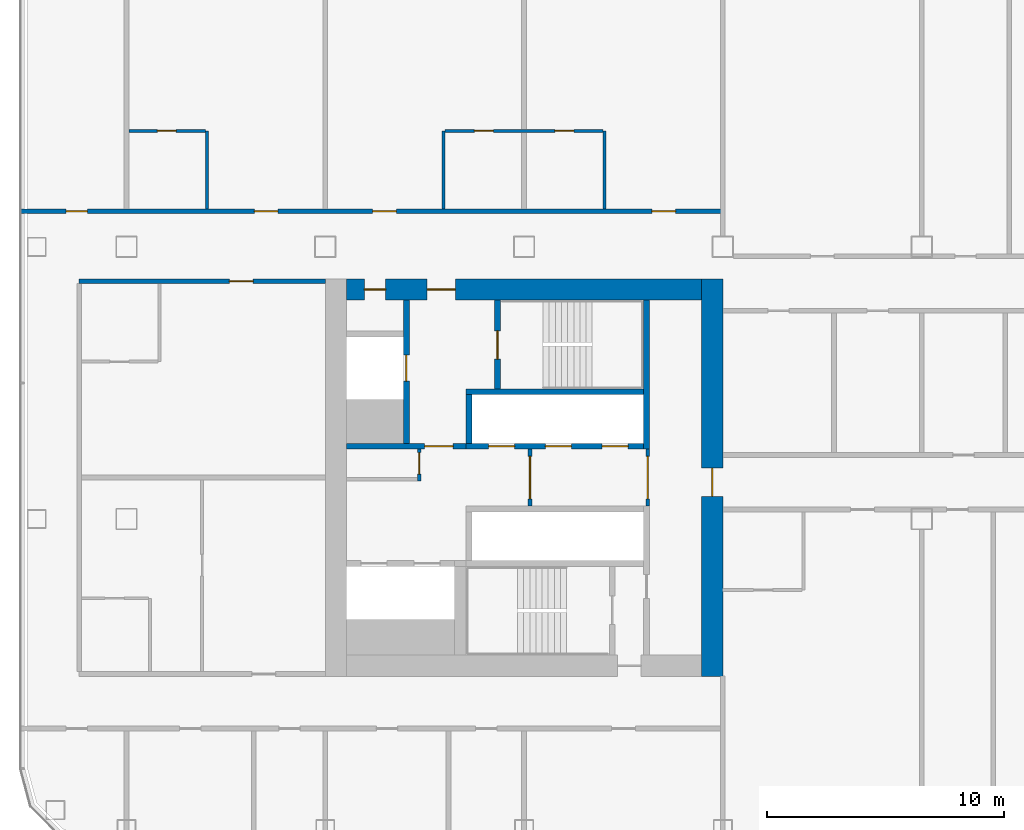
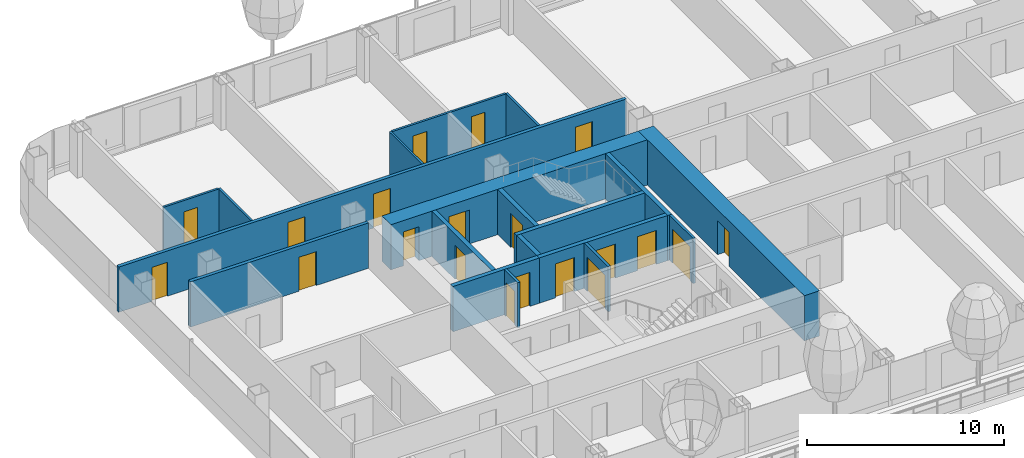
# One storey, part 14 of 34: 20 doors, 19 walls, 20 openings.
"""IFC4 building model written with IfcOpenShell, lengths in metres."""

from ifc_helpers import new_model, si_unit, direction, frame, frame_2d, origin, place, context, subcontext, project, spatial, rectangle, extrude, material, layer, layer_set, type_object, element, fill, save


model = new_model("IFC4")

# Units and contexts
model_context = context("Model", 3, precision=1e-05, world=origin(), true_north=direction((0.0, 1.0)))
body_context = subcontext(model_context, "Body", "Model", "MODEL_VIEW")
ifc_project = project(units=[si_unit("LENGTHUNIT", "METRE"), si_unit("AREAUNIT", "SQUARE_METRE"), si_unit("VOLUMEUNIT", "CUBIC_METRE"), si_unit("PLANEANGLEUNIT", "RADIAN"), si_unit("MASSUNIT", "GRAM", prefix="KILO")], contexts=[model_context])

# Site, building, storey
site_placement = place(None, origin())
site = spatial("IfcSite", under=ifc_project, at=site_placement, CompositionType="ELEMENT")
building_placement = place(site_placement, origin())
building = spatial("IfcBuilding", under=site, at=building_placement, Name="Hakoniwa Tower and Hamabe Station Hall", CompositionType="ELEMENT")
storey_placement = place(building_placement, frame((0.0, 0.0, 107.39990234375)))
storey = spatial("IfcBuildingStorey", under=building, at=storey_placement, Name="L30", CompositionType="ELEMENT", Elevation=107.39990234375)

# Wall, opening, door
ifc_material_1 = material(Name="Gypsum board partition", Category="gypsum")
ifc_layer_1 = layer(ifc_material_1, 0.125)
ifc_layer_set_1 = layer_set([ifc_layer_1], Name="Bathroom Partition 125")
wall_type_1 = type_object("IfcWallType", Name="Bathroom Partition 125", PredefinedType="PARTITIONING", material=ifc_layer_set_1)
wall_1_placement = place(storey_placement, frame((-41.89990234375, 14.64990234375, 0.0), z_axis=(0.0, 0.0, 1.0), x_axis=(1.0, 0.0, 0.0)))
wall_1 = element("IfcWall", 1, at=wall_1_placement, inside=storey, type_object=wall_type_1, Name="GW-L30-021", PredefinedType="PARTITIONING", context=body_context, shape_type="SweptSolid", body=[
    extrude(rectangle(XDim=3.2373046875, YDim=0.125, at=frame_2d((1.61865234375, 0.0))), origin(), (0.0, 0.0, 1.0), 2.800048828125),
])
opening_1_placement = place(wall_1_placement, frame((1.199951171875, 0.0, 0.0)))
opening_1 = element("IfcOpeningElement", 2, at=opening_1_placement, cuts=wall_1, Name="Opening GD-G2A2-52", PredefinedType="OPENING", context=body_context, shape_type="SweptSolid", body=[
    extrude(rectangle(XDim=0.800048828125, YDim=2.10009765625, at=frame_2d((0.39990234375, 1.050048828125))), frame((0.0, 0.072509765625, 0.0), z_axis=(0.0, -1.0, 0.0), x_axis=(1.0, 0.0, 0.0)), (0.0, 0.0, 1.0), 0.14501953125),
])
ifc_material_2 = material(Name="Timber door leaf", Category="wood")
door_type_1 = type_object("IfcDoorType", Name="Bathroom Door 800", OperationType="SINGLE_SWING_LEFT", PredefinedType="DOOR", material=ifc_material_2)
door_1_placement = place(opening_1_placement, origin())
door_1 = element("IfcDoor", 3, at=door_1_placement, inside=storey, type_object=door_type_1, Name="Door GD-G2A2-52", OperationType="SINGLE_SWING_LEFT", OverallHeight=2.10009765625, OverallWidth=0.800048828125, PredefinedType="DOOR", context=body_context, shape_type="SweptSolid", body=[
    extrude(rectangle(XDim=0.800048828125, YDim=2.10009765625, at=frame_2d((0.39990234375, 1.050048828125))), frame((0.0, 0.02490234375, 0.0), z_axis=(0.0, -1.0, 0.0), x_axis=(1.0, 0.0, 0.0)), (0.0, 0.0, 1.0), 0.050048828125),
])
fill(opening_1, door_1)

# Wall, openings, doors
wall_2_placement = place(storey_placement, frame((-28.53759765625, 14.64990234375, 0.0), z_axis=(0.0, 0.0, 1.0), x_axis=(1.0, 0.0, 0.0)))
wall_2 = element("IfcWall", 4, at=wall_2_placement, inside=storey, type_object=wall_type_1, Name="GW-L30-022", PredefinedType="PARTITIONING", context=body_context, shape_type="SweptSolid", body=[
    extrude(rectangle(XDim=6.675048828125, YDim=0.125, at=frame_2d((3.33740234375, 0.0))), origin(), (0.0, 0.0, 1.0), 2.800048828125),
])
opening_2_placement = place(wall_2_placement, frame((1.237548828125, 0.0, 0.0)))
opening_2 = element("IfcOpeningElement", 5, at=opening_2_placement, cuts=wall_2, Name="Opening GD-G2A2-53", PredefinedType="OPENING", context=body_context, shape_type="SweptSolid", body=[
    extrude(rectangle(XDim=0.800048828125, YDim=2.10009765625, at=frame_2d((0.39990234375, 1.050048828125))), frame((0.0, 0.072509765625, 0.0), z_axis=(0.0, -1.0, 0.0), x_axis=(1.0, 0.0, 0.0)), (0.0, 0.0, 1.0), 0.14501953125),
])
opening_3_placement = place(wall_2_placement, frame((4.637451171875, 0.0, 0.0)))
opening_3 = element("IfcOpeningElement", 6, at=opening_3_placement, cuts=wall_2, Name="Opening GD-G2A2-54", PredefinedType="OPENING", context=body_context, shape_type="SweptSolid", body=[
    extrude(rectangle(XDim=0.800048828125, YDim=2.10009765625, at=frame_2d((0.39990234375, 1.050048828125))), frame((0.0, 0.072509765625, 0.0), z_axis=(0.0, -1.0, 0.0), x_axis=(1.0, 0.0, 0.0)), (0.0, 0.0, 1.0), 0.14501953125),
])
door_2_placement = place(opening_2_placement, origin())
door_2 = element("IfcDoor", 7, at=door_2_placement, inside=storey, type_object=door_type_1, Name="Door GD-G2A2-53", OperationType="SINGLE_SWING_RIGHT", OverallHeight=2.10009765625, OverallWidth=0.800048828125, PredefinedType="DOOR", context=body_context, shape_type="SweptSolid", body=[
    extrude(rectangle(XDim=0.800048828125, YDim=2.10009765625, at=frame_2d((0.39990234375, 1.050048828125))), frame((0.0, 0.02490234375, 0.0), z_axis=(0.0, -1.0, 0.0), x_axis=(1.0, 0.0, 0.0)), (0.0, 0.0, 1.0), 0.050048828125),
])
fill(opening_2, door_2)
door_3_placement = place(opening_3_placement, origin())
door_3 = element("IfcDoor", 8, at=door_3_placement, inside=storey, type_object=door_type_1, Name="Door GD-G2A2-54", OperationType="SINGLE_SWING_LEFT", OverallHeight=2.10009765625, OverallWidth=0.800048828125, PredefinedType="DOOR", context=body_context, shape_type="SweptSolid", body=[
    extrude(rectangle(XDim=0.800048828125, YDim=2.10009765625, at=frame_2d((0.39990234375, 1.050048828125))), frame((0.0, 0.02490234375, 0.0), z_axis=(0.0, -1.0, 0.0), x_axis=(1.0, 0.0, 0.0)), (0.0, 0.0, 1.0), 0.050048828125),
])
fill(opening_3, door_3)

# Walls
for number, where, z_axis, x_axis, name in (
    (9, (-38.60009765625, 11.35009765625, 0.0), (0.0, 0.0, 1.0), (0.0, 1.0, 0.0), "GW-L30-031"),
    (10, (-28.60009765625, 11.35009765625, 0.0), (0.0, 0.0, 1.0), (0.0, 1.0, 0.0), "GW-L30-035"),
    (11, (-21.800048828125, 11.35009765625, 0.0), (0.0, 0.0, 1.0), (0.0, 1.0, 0.0), "GW-L30-039"),
):
    element("IfcWall", number, at=place(storey_placement, frame(where, z_axis=z_axis, x_axis=x_axis)), inside=storey, type_object=wall_type_1, Name=name, PredefinedType="PARTITIONING", context=body_context, shape_type="SweptSolid", body=[
        extrude(rectangle(XDim=3.2998046875, YDim=0.125, at=frame_2d((1.64990234375, 0.0))), origin(), (0.0, 0.0, 1.0), 2.800048828125),
    ])

# Wall, opening, door
ifc_material_3 = material(Name="Gypsum board partition")
ifc_layer_2 = layer(ifc_material_3, 0.14990234375)
ifc_layer_set_2 = layer_set([ifc_layer_2], Name="CORE PARTITION 150 EI 60")
wall_type_2 = type_object("IfcWallType", Name="CORE PARTITION 150 EI 60", PredefinedType="PARTITIONING", material=ifc_layer_set_2)
wall_3_placement = place(storey_placement, frame((-19.97509765625, -1.199951171875, 0.0), z_axis=(0.0, 0.0, 1.0), x_axis=(0.0, 1.0, 0.0)))
wall_3 = element("IfcWall", 12, at=wall_3_placement, inside=storey, type_object=wall_type_2, Name="Core partition PL0 west", PredefinedType="PARTITIONING", context=body_context, shape_type="SweptSolid", body=[
    extrude(rectangle(XDim=2.39990234375, YDim=0.14990234375, at=frame_2d((1.199951171875, 0.0))), origin(), (0.0, 0.0, 1.0), 2.800048828125),
])
opening_4_placement = place(wall_3_placement, frame((0.300048828125, 0.0, 0.0)))
opening_4 = element("IfcOpeningElement", 13, at=opening_4_placement, cuts=wall_3, Name="Opening CD-W-LP0-18", PredefinedType="OPENING", context=body_context, shape_type="SweptSolid", body=[
    extrude(rectangle(XDim=1.800048828125, YDim=2.10009765625, at=frame_2d((0.89990234375, 1.050048828125))), frame((0.0, 0.0849609375, 0.0), z_axis=(0.0, -1.0, 0.0), x_axis=(1.0, 0.0, 0.0)), (0.0, 0.0, 1.0), 0.169921875),
])
ifc_material_4 = material(Name="Steel fire door", Category="steel")
door_type_2 = type_object("IfcDoorType", Name="CORE DOOR 1800 FD60", OperationType="DOUBLE_DOOR_SINGLE_SWING", PredefinedType="DOOR", material=ifc_material_4)
door_4_placement = place(opening_4_placement, origin())
door_4 = element("IfcDoor", 14, at=door_4_placement, inside=storey, type_object=door_type_2, Name="Lift lobby partition door", OperationType="DOUBLE_DOOR_SINGLE_SWING", OverallHeight=2.10009765625, OverallWidth=1.800048828125, PredefinedType="DOOR", context=body_context, shape_type="SweptSolid", body=[
    extrude(rectangle(XDim=1.800048828125, YDim=2.10009765625, at=frame_2d((0.89990234375, 1.050048828125))), frame((0.0, 0.02490234375, 0.0), z_axis=(0.0, -1.0, 0.0), x_axis=(1.0, 0.0, 0.0)), (0.0, 0.0, 1.0), 0.050048828125),
])
fill(opening_4, door_4)

wall_4_placement = place(storey_placement, frame((-24.949951171875, -1.199951171875, 0.0), z_axis=(0.0, 0.0, 1.0), x_axis=(0.0, 1.0, 0.0)))
wall_4 = element("IfcWall", 15, at=wall_4_placement, inside=storey, type_object=wall_type_2, Name="Core partition PL1 west", PredefinedType="PARTITIONING", context=body_context, shape_type="SweptSolid", body=[
    extrude(rectangle(XDim=2.39990234375, YDim=0.14990234375, at=frame_2d((1.199951171875, 0.0))), origin(), (0.0, 0.0, 1.0), 2.800048828125),
])
opening_5_placement = place(wall_4_placement, frame((0.300048828125, 0.0, 0.0)))
opening_5 = element("IfcOpeningElement", 16, at=opening_5_placement, cuts=wall_4, Name="Opening CD-W-LP1-18", PredefinedType="OPENING", context=body_context, shape_type="SweptSolid", body=[
    extrude(rectangle(XDim=1.800048828125, YDim=2.10009765625, at=frame_2d((0.89990234375, 1.050048828125))), frame((0.0, 0.0849609375, 0.0), z_axis=(0.0, -1.0, 0.0), x_axis=(1.0, 0.0, 0.0)), (0.0, 0.0, 1.0), 0.169921875),
])
door_5_placement = place(opening_5_placement, origin())
door_5 = element("IfcDoor", 17, at=door_5_placement, inside=storey, type_object=door_type_2, Name="Lift lobby partition door", OperationType="DOUBLE_DOOR_SINGLE_SWING", OverallHeight=2.10009765625, OverallWidth=1.800048828125, PredefinedType="DOOR", context=body_context, shape_type="SweptSolid", body=[
    extrude(rectangle(XDim=1.800048828125, YDim=2.10009765625, at=frame_2d((0.89990234375, 1.050048828125))), frame((0.0, 0.02490234375, 0.0), z_axis=(0.0, -1.0, 0.0), x_axis=(1.0, 0.0, 0.0)), (0.0, 0.0, 1.0), 0.050048828125),
])
fill(opening_5, door_5)

wall_5_placement = place(storey_placement, frame((-29.625, -0.14990234375, 0.0), z_axis=(0.0, 0.0, 1.0), x_axis=(0.0, 1.0, 0.0)))
wall_5 = element("IfcWall", 18, at=wall_5_placement, inside=storey, type_object=wall_type_2, Name="Core partition PW0 west", PredefinedType="PARTITIONING", context=body_context, shape_type="SweptSolid", body=[
    extrude(rectangle(XDim=1.349853515625, YDim=0.14990234375, at=frame_2d((0.6748046875, 0.0))), origin(), (0.0, 0.0, 1.0), 2.800048828125),
])
opening_6_placement = place(wall_5_placement, frame((0.300048828125, 0.0, 0.0)))
opening_6 = element("IfcOpeningElement", 19, at=opening_6_placement, cuts=wall_5, Name="Opening CD-W-RM1-9", PredefinedType="OPENING", context=body_context, shape_type="SweptSolid", body=[
    extrude(rectangle(XDim=0.89990234375, YDim=2.10009765625, at=frame_2d((0.449951171875, 1.050048828125))), frame((0.0, 0.0849609375, 0.0), z_axis=(0.0, -1.0, 0.0), x_axis=(1.0, 0.0, 0.0)), (0.0, 0.0, 1.0), 0.169921875),
])
ifc_material_5 = material(Name="Steel fire door", Category="steel")
door_type_3 = type_object("IfcDoorType", Name="CORE DOOR 900 FD30", OperationType="NOTDEFINED", PredefinedType="DOOR", material=ifc_material_5)
door_6_placement = place(opening_6_placement, origin())
door_6 = element("IfcDoor", 20, at=door_6_placement, inside=storey, type_object=door_type_3, Name="Store room door", OperationType="SINGLE_SWING_RIGHT", OverallHeight=2.10009765625, OverallWidth=0.89990234375, PredefinedType="DOOR", context=body_context, shape_type="SweptSolid", body=[
    extrude(rectangle(XDim=0.89990234375, YDim=2.10009765625, at=frame_2d((0.449951171875, 1.050048828125))), frame((0.0, 0.02490234375, 0.0), z_axis=(0.0, -1.0, 0.0), x_axis=(1.0, 0.0, 0.0)), (0.0, 0.0, 1.0), 0.050048828125),
])
fill(opening_6, door_6)

ifc_material_6 = material(Name="Concrete C72", Category="concrete")
ifc_layer_3 = layer(ifc_material_6, 0.89990234375)
ifc_layer_set_3 = layer_set([ifc_layer_3], Name="CORE WALL 900 C72")
wall_type_3 = type_object("IfcWallType", Name="CORE WALL 900 C72", PredefinedType="SHEAR", material=ifc_layer_set_3)
wall_6_placement = place(storey_placement, frame((-17.25, -8.39990234375, 0.0), z_axis=(0.0, 0.0, 1.0), x_axis=(0.0, 1.0, 0.0)))
wall_6 = element("IfcWall", 21, at=wall_6_placement, inside=storey, type_object=wall_type_3, Name="Core wall INNER west", PredefinedType="SHEAR", context=body_context, shape_type="SweptSolid", body=[
    extrude(rectangle(XDim=16.7998046875, YDim=0.89990234375, at=frame_2d((8.39990234375, 0.0))), origin(), (0.0, 0.0, 1.0), 2.800048828125),
])
opening_7_placement = place(wall_6_placement, frame((7.60009765625, 0.0, 0.0)))
opening_7 = element("IfcOpeningElement", 22, at=opening_7_placement, cuts=wall_6, Name="Opening CD-W-IN1-12", PredefinedType="OPENING", context=body_context, shape_type="SweptSolid", body=[
    extrude(rectangle(XDim=1.199951171875, YDim=2.10009765625, at=frame_2d((0.60009765625, 1.050048828125))), frame((0.0, 0.4599609375, 0.0), z_axis=(0.0, -1.0, 0.0), x_axis=(1.0, 0.0, 0.0)), (0.0, 0.0, 1.0), 0.919921875),
])
ifc_material_7 = material(Name="Steel fire door", Category="steel")
door_type_4 = type_object("IfcDoorType", Name="CORE DOOR 1200 FD60", OperationType="DOUBLE_DOOR_SINGLE_SWING", PredefinedType="DOOR", material=ifc_material_7)
door_7_placement = place(opening_7_placement, origin())
door_7 = element("IfcDoor", 23, at=door_7_placement, inside=storey, type_object=door_type_4, Name="Lift lobby door", OperationType="DOUBLE_DOOR_SINGLE_SWING", OverallHeight=2.10009765625, OverallWidth=1.199951171875, PredefinedType="DOOR", context=body_context, shape_type="SweptSolid", body=[
    extrude(rectangle(XDim=1.199951171875, YDim=2.10009765625, at=frame_2d((0.60009765625, 1.050048828125))), frame((0.0, 0.02490234375, 0.0), z_axis=(0.0, -1.0, 0.0), x_axis=(1.0, 0.0, 0.0)), (0.0, 0.0, 1.0), 0.050048828125),
])
fill(opening_7, door_7)

# Wall, openings, doors
wall_7_placement = place(storey_placement, frame((-32.699951171875, 7.949951171875, 0.0), z_axis=(0.0, 0.0, 1.0), x_axis=(1.0, 0.0, 0.0)))
wall_7 = element("IfcWall", 24, at=wall_7_placement, inside=storey, type_object=wall_type_3, Name="Core wall NORTH west", PredefinedType="SHEAR", context=body_context, shape_type="SweptSolid", body=[
    extrude(rectangle(XDim=15.0, YDim=0.89990234375, at=frame_2d((7.5, 0.0))), origin(), (0.0, 0.0, 1.0), 2.800048828125),
])
opening_8_placement = place(wall_7_placement, frame((3.39990234375, 0.0, 0.0)))
opening_8 = element("IfcOpeningElement", 25, at=opening_8_placement, cuts=wall_7, Name="Opening CD-W-FN1-12", PredefinedType="OPENING", context=body_context, shape_type="SweptSolid", body=[
    extrude(rectangle(XDim=1.199951171875, YDim=2.10009765625, at=frame_2d((0.60009765625, 1.050048828125))), frame((0.0, 0.4599609375, 0.0), z_axis=(0.0, -1.0, 0.0), x_axis=(1.0, 0.0, 0.0)), (0.0, 0.0, 1.0), 0.919921875),
])
opening_9_placement = place(wall_7_placement, frame((0.75, 0.0, 0.0)))
opening_9 = element("IfcOpeningElement", 26, at=opening_9_placement, cuts=wall_7, Name="Opening CD-W-FN2-9", PredefinedType="OPENING", context=body_context, shape_type="SweptSolid", body=[
    extrude(rectangle(XDim=0.89990234375, YDim=2.10009765625, at=frame_2d((0.449951171875, 1.050048828125))), frame((0.0, 0.4599609375, 0.0), z_axis=(0.0, -1.0, 0.0), x_axis=(1.0, 0.0, 0.0)), (0.0, 0.0, 1.0), 0.919921875),
])
door_8_placement = place(opening_8_placement, origin())
door_8 = element("IfcDoor", 27, at=door_8_placement, inside=storey, type_object=door_type_4, Name="Stair vestibule door to the fire-fighting lobby", OperationType="DOUBLE_DOOR_SINGLE_SWING", OverallHeight=2.10009765625, OverallWidth=1.199951171875, PredefinedType="DOOR", context=body_context, shape_type="SweptSolid", body=[
    extrude(rectangle(XDim=1.199951171875, YDim=2.10009765625, at=frame_2d((0.60009765625, 1.050048828125))), frame((0.0, 0.02490234375, 0.0), z_axis=(0.0, -1.0, 0.0), x_axis=(1.0, 0.0, 0.0)), (0.0, 0.0, 1.0), 0.050048828125),
])
fill(opening_8, door_8)
door_9_placement = place(opening_9_placement, origin())
door_9 = element("IfcDoor", 28, at=door_9_placement, inside=storey, type_object=door_type_3, Name="Riser access door", OperationType="SINGLE_SWING_LEFT", OverallHeight=2.10009765625, OverallWidth=0.89990234375, PredefinedType="DOOR", context=body_context, shape_type="SweptSolid", body=[
    extrude(rectangle(XDim=0.89990234375, YDim=2.10009765625, at=frame_2d((0.449951171875, 1.050048828125))), frame((0.0, 0.02490234375, 0.0), z_axis=(0.0, -1.0, 0.0), x_axis=(1.0, 0.0, 0.0)), (0.0, 0.0, 1.0), 0.050048828125),
])
fill(opening_9, door_9)

# Wall
ifc_material_8 = material(Name="Concrete C72", Category="concrete")
ifc_layer_4 = layer(ifc_material_8, 0.25)
ifc_layer_set_4 = layer_set([ifc_layer_4], Name="CORE WEB WALL 250 C72")
wall_type_4 = type_object("IfcWallType", Name="CORE WEB WALL 250 C72", PredefinedType="SHEAR", material=ifc_layer_set_4)
wall_8_placement = place(storey_placement, frame((-20.02490234375, 1.199951171875, 0.0), z_axis=(0.0, 0.0, 1.0), x_axis=(0.0, 1.0, 0.0)))
element("IfcWall", 29, at=wall_8_placement, inside=storey, type_object=wall_type_4, Name="Core wall W1N west", PredefinedType="SHEAR", context=body_context, shape_type="SweptSolid", body=[
    extrude(rectangle(XDim=6.300048828125, YDim=0.25, at=frame_2d((3.14990234375, 0.0))), origin(), (0.0, 0.0, 1.0), 2.800048828125),
])

# Wall, openings, doors
wall_9_placement = place(storey_placement, frame((-27.64990234375, 1.324951171875, 0.0), z_axis=(0.0, 0.0, 1.0), x_axis=(1.0, 0.0, 0.0)))
wall_9 = element("IfcWall", 30, at=wall_9_placement, inside=storey, type_object=wall_type_4, Name="Core wall NF west", PredefinedType="SHEAR", context=body_context, shape_type="SweptSolid", body=[
    extrude(rectangle(XDim=7.5, YDim=0.25, at=frame_2d((3.75, 0.0))), origin(), (0.0, 0.0, 1.0), 2.800048828125),
])
opening_10_placement = place(wall_9_placement, frame((5.75, 0.0, 0.0)))
opening_10 = element("IfcOpeningElement", 31, at=opening_10_placement, cuts=wall_9, Name="Opening LD-LR1", PredefinedType="OPENING", context=body_context, shape_type="SweptSolid", body=[
    extrude(rectangle(XDim=1.10009765625, YDim=2.10009765625, at=frame_2d((0.550048828125, 1.050048828125))), frame((0.0, 0.135009765625, 0.0), z_axis=(0.0, -1.0, 0.0), x_axis=(1.0, 0.0, 0.0)), (0.0, 0.0, 1.0), 0.27001953125),
])
opening_11_placement = place(wall_9_placement, frame((3.35009765625, 0.0, 0.0)))
opening_11 = element("IfcOpeningElement", 32, at=opening_11_placement, cuts=wall_9, Name="Opening LD-LR2", PredefinedType="OPENING", context=body_context, shape_type="SweptSolid", body=[
    extrude(rectangle(XDim=1.10009765625, YDim=2.10009765625, at=frame_2d((0.550048828125, 1.050048828125))), frame((0.0, 0.135009765625, 0.0), z_axis=(0.0, -1.0, 0.0), x_axis=(1.0, 0.0, 0.0)), (0.0, 0.0, 1.0), 0.27001953125),
])
opening_12_placement = place(wall_9_placement, frame((0.949951171875, 0.0, 0.0)))
opening_12 = element("IfcOpeningElement", 33, at=opening_12_placement, cuts=wall_9, Name="Opening LD-LR3", PredefinedType="OPENING", context=body_context, shape_type="SweptSolid", body=[
    extrude(rectangle(XDim=1.10009765625, YDim=2.10009765625, at=frame_2d((0.550048828125, 1.050048828125))), frame((0.0, 0.135009765625, 0.0), z_axis=(0.0, -1.0, 0.0), x_axis=(1.0, 0.0, 0.0)), (0.0, 0.0, 1.0), 0.27001953125),
])
ifc_material_9 = material(Name="Stainless steel SUS304", Category="steel")
door_type_5 = type_object("IfcDoorType", Name="LIFT LANDING DOOR 1100 FD60", OperationType="DOUBLE_DOOR_SLIDING", PredefinedType="DOOR", material=ifc_material_9)
door_10_placement = place(opening_10_placement, origin())
door_10 = element("IfcDoor", 34, at=door_10_placement, inside=storey, type_object=door_type_5, Name="Lift landing door LR1 L30", OperationType="DOUBLE_DOOR_SLIDING", OverallHeight=2.10009765625, OverallWidth=1.10009765625, PredefinedType="DOOR", context=body_context, shape_type="SweptSolid", body=[
    extrude(rectangle(XDim=1.10009765625, YDim=2.10009765625, at=frame_2d((0.550048828125, 1.050048828125))), frame((0.0, 0.02490234375, 0.0), z_axis=(0.0, -1.0, 0.0), x_axis=(1.0, 0.0, 0.0)), (0.0, 0.0, 1.0), 0.050048828125),
])
fill(opening_10, door_10)
door_11_placement = place(opening_11_placement, origin())
door_11 = element("IfcDoor", 35, at=door_11_placement, inside=storey, type_object=door_type_5, Name="Lift landing door LR2 L30", OperationType="DOUBLE_DOOR_SLIDING", OverallHeight=2.10009765625, OverallWidth=1.10009765625, PredefinedType="DOOR", context=body_context, shape_type="SweptSolid", body=[
    extrude(rectangle(XDim=1.10009765625, YDim=2.10009765625, at=frame_2d((0.550048828125, 1.050048828125))), frame((0.0, 0.02490234375, 0.0), z_axis=(0.0, -1.0, 0.0), x_axis=(1.0, 0.0, 0.0)), (0.0, 0.0, 1.0), 0.050048828125),
])
fill(opening_11, door_11)
door_12_placement = place(opening_12_placement, origin())
door_12 = element("IfcDoor", 36, at=door_12_placement, inside=storey, type_object=door_type_5, Name="Lift landing door LR3 L30", OperationType="DOUBLE_DOOR_SLIDING", OverallHeight=2.10009765625, OverallWidth=1.10009765625, PredefinedType="DOOR", context=body_context, shape_type="SweptSolid", body=[
    extrude(rectangle(XDim=1.10009765625, YDim=2.10009765625, at=frame_2d((0.550048828125, 1.050048828125))), frame((0.0, 0.02490234375, 0.0), z_axis=(0.0, -1.0, 0.0), x_axis=(1.0, 0.0, 0.0)), (0.0, 0.0, 1.0), 0.050048828125),
])
fill(opening_12, door_12)

# Walls
wall_10_placement = place(storey_placement, frame((-27.52490234375, 1.449951171875, 0.0), z_axis=(0.0, 0.0, 1.0), x_axis=(0.0, 1.0, 0.0)))
element("IfcWall", 37, at=wall_10_placement, inside=storey, type_object=wall_type_4, Name="Core wall NE west", PredefinedType="SHEAR", context=body_context, shape_type="SweptSolid", body=[
    extrude(rectangle(XDim=2.050048828125, YDim=0.25, at=frame_2d((1.02490234375, 0.0))), origin(), (0.0, 0.0, 1.0), 2.800048828125),
])
wall_11_placement = place(storey_placement, frame((-27.64990234375, 3.625, 0.0), z_axis=(0.0, 0.0, 1.0), x_axis=(1.0, 0.0, 0.0)))
element("IfcWall", 38, at=wall_11_placement, inside=storey, type_object=wall_type_4, Name="Core wall NR west", PredefinedType="SHEAR", context=body_context, shape_type="SweptSolid", body=[
    extrude(rectangle(XDim=7.5, YDim=0.25, at=frame_2d((3.75, 0.0))), origin(), (0.0, 0.0, 1.0), 2.800048828125),
])

# Wall, opening, door
wall_12_placement = place(storey_placement, frame((-26.324951171875, 3.75, 0.0), z_axis=(0.0, 0.0, 1.0), x_axis=(0.0, 1.0, 0.0)))
wall_12 = element("IfcWall", 39, at=wall_12_placement, inside=storey, type_object=wall_type_4, Name="Core wall NSE west", PredefinedType="SHEAR", context=body_context, shape_type="SweptSolid", body=[
    extrude(rectangle(XDim=3.75, YDim=0.25, at=frame_2d((1.875, 0.0))), origin(), (0.0, 0.0, 1.0), 2.800048828125),
])
opening_13_placement = place(wall_12_placement, frame((1.25, 0.0, 0.0)))
opening_13 = element("IfcOpeningElement", 40, at=opening_13_placement, cuts=wall_12, Name="Opening CD-W-SN-12", PredefinedType="OPENING", context=body_context, shape_type="SweptSolid", body=[
    extrude(rectangle(XDim=1.199951171875, YDim=2.10009765625, at=frame_2d((0.60009765625, 1.050048828125))), frame((0.0, 0.135009765625, 0.0), z_axis=(0.0, -1.0, 0.0), x_axis=(1.0, 0.0, 0.0)), (0.0, 0.0, 1.0), 0.27001953125),
])
door_13_placement = place(opening_13_placement, origin())
door_13 = element("IfcDoor", 41, at=door_13_placement, inside=storey, type_object=door_type_4, Name="Escape stair door", OperationType="DOUBLE_DOOR_SINGLE_SWING", OverallHeight=2.10009765625, OverallWidth=1.199951171875, PredefinedType="DOOR", context=body_context, shape_type="SweptSolid", body=[
    extrude(rectangle(XDim=1.199951171875, YDim=2.10009765625, at=frame_2d((0.60009765625, 1.050048828125))), frame((0.0, 0.02490234375, 0.0), z_axis=(0.0, -1.0, 0.0), x_axis=(1.0, 0.0, 0.0)), (0.0, 0.0, 1.0), 0.050048828125),
])
fill(opening_13, door_13)

wall_13_placement = place(storey_placement, frame((-32.699951171875, 1.324951171875, 0.0), z_axis=(0.0, 0.0, 1.0), x_axis=(1.0, 0.0, 0.0)))
wall_13 = element("IfcWall", 42, at=wall_13_placement, inside=storey, type_object=wall_type_4, Name="Core wall ELN west", PredefinedType="SHEAR", context=body_context, shape_type="SweptSolid", body=[
    extrude(rectangle(XDim=5.050048828125, YDim=0.25, at=frame_2d((2.52490234375, 0.0))), origin(), (0.0, 0.0, 1.0), 2.800048828125),
])
opening_14_placement = place(wall_13_placement, frame((3.300048828125, 0.0, 0.0)))
opening_14 = element("IfcOpeningElement", 43, at=opening_14_placement, cuts=wall_13, Name="Opening CD-W-FL-12", PredefinedType="OPENING", context=body_context, shape_type="SweptSolid", body=[
    extrude(rectangle(XDim=1.199951171875, YDim=2.10009765625, at=frame_2d((0.60009765625, 1.050048828125))), frame((0.0, 0.135009765625, 0.0), z_axis=(0.0, -1.0, 0.0), x_axis=(1.0, 0.0, 0.0)), (0.0, 0.0, 1.0), 0.27001953125),
])
door_14_placement = place(opening_14_placement, origin())
door_14 = element("IfcDoor", 44, at=door_14_placement, inside=storey, type_object=door_type_4, Name="Stair vestibule door to the fire-fighting lobby", OperationType="DOUBLE_DOOR_SINGLE_SWING", OverallHeight=2.10009765625, OverallWidth=1.199951171875, PredefinedType="DOOR", context=body_context, shape_type="SweptSolid", body=[
    extrude(rectangle(XDim=1.199951171875, YDim=2.10009765625, at=frame_2d((0.60009765625, 1.050048828125))), frame((0.0, 0.02490234375, 0.0), z_axis=(0.0, -1.0, 0.0), x_axis=(1.0, 0.0, 0.0)), (0.0, 0.0, 1.0), 0.050048828125),
])
fill(opening_14, door_14)

wall_14_placement = place(storey_placement, frame((-30.175048828125, 1.449951171875, 0.0), z_axis=(0.0, 0.0, 1.0), x_axis=(0.0, 1.0, 0.0)))
wall_14 = element("IfcWall", 45, at=wall_14_placement, inside=storey, type_object=wall_type_4, Name="Core wall FFF west", PredefinedType="SHEAR", context=body_context, shape_type="SweptSolid", body=[
    extrude(rectangle(XDim=6.050048828125, YDim=0.25, at=frame_2d((3.02490234375, 0.0))), origin(), (0.0, 0.0, 1.0), 2.800048828125),
])
opening_15_placement = place(wall_14_placement, frame((2.625, 0.0, 0.0)))
opening_15 = element("IfcOpeningElement", 46, at=opening_15_placement, cuts=wall_14, Name="Opening LD-FF1", PredefinedType="OPENING", context=body_context, shape_type="SweptSolid", body=[
    extrude(rectangle(XDim=1.10009765625, YDim=2.10009765625, at=frame_2d((0.550048828125, 1.050048828125))), frame((0.0, 0.135009765625, 0.0), z_axis=(0.0, -1.0, 0.0), x_axis=(1.0, 0.0, 0.0)), (0.0, 0.0, 1.0), 0.27001953125),
])
door_15_placement = place(opening_15_placement, origin())
door_15 = element("IfcDoor", 47, at=door_15_placement, inside=storey, type_object=door_type_5, Name="Lift landing door FF1 L30", OperationType="DOUBLE_DOOR_SLIDING", OverallHeight=2.10009765625, OverallWidth=1.10009765625, PredefinedType="DOOR", context=body_context, shape_type="SweptSolid", body=[
    extrude(rectangle(XDim=1.10009765625, YDim=2.10009765625, at=frame_2d((0.550048828125, 1.050048828125))), frame((0.0, 0.02490234375, 0.0), z_axis=(0.0, -1.0, 0.0), x_axis=(1.0, 0.0, 0.0)), (0.0, 0.0, 1.0), 0.050048828125),
])
fill(opening_15, door_15)

ifc_material_10 = material(Name="Fire-rated gypsum board partition", Category="gypsum")
ifc_layer_5 = layer(ifc_material_10, 0.199951171875)
ifc_layer_set_5 = layer_set([ifc_layer_5], Name="Corridor Wall 200")
wall_type_5 = type_object("IfcWallType", Name="Corridor Wall 200", PredefinedType="PARTITIONING", material=ifc_layer_set_5)
wall_15_placement = place(storey_placement, frame((-44.0, 8.300048828125, 0.0), z_axis=(0.0, 0.0, 1.0), x_axis=(1.0, 0.0, 0.0)))
wall_15 = element("IfcWall", 48, at=wall_15_placement, inside=storey, type_object=wall_type_5, Name="GW-L30-016", PredefinedType="PARTITIONING", context=body_context, shape_type="SweptSolid", body=[
    extrude(rectangle(XDim=10.39990234375, YDim=0.199951171875, at=frame_2d((5.199951171875, 0.0))), origin(), (0.0, 0.0, 1.0), 2.800048828125),
])
opening_16_placement = place(wall_15_placement, frame((6.35009765625, 0.0, 0.0)))
opening_16 = element("IfcOpeningElement", 49, at=opening_16_placement, cuts=wall_15, Name="Opening GD-G2A2-35", PredefinedType="OPENING", context=body_context, shape_type="SweptSolid", body=[
    extrude(rectangle(XDim=1.0, YDim=2.10009765625, at=frame_2d((0.5, 1.050048828125))), frame((0.0, 0.10986328125, 0.0), z_axis=(0.0, -1.0, 0.0), x_axis=(1.0, 0.0, 0.0)), (0.0, 0.0, 1.0), 0.219970703125),
])
ifc_material_11 = material(Name="Timber door leaf", Category="wood")
door_type_6 = type_object("IfcDoorType", Name="Guest Entrance Door 1000", OperationType="SINGLE_SWING_LEFT", PredefinedType="DOOR", material=ifc_material_11)
door_16_placement = place(opening_16_placement, origin())
door_16 = element("IfcDoor", 50, at=door_16_placement, inside=storey, type_object=door_type_6, Name="Door GD-G2A2-35", OperationType="SINGLE_SWING_RIGHT", OverallHeight=2.10009765625, OverallWidth=1.0, PredefinedType="DOOR", context=body_context, shape_type="SweptSolid", body=[
    extrude(rectangle(XDim=1.0, YDim=2.10009765625, at=frame_2d((0.5, 1.050048828125))), frame((0.0, 0.02490234375, 0.0), z_axis=(0.0, -1.0, 0.0), x_axis=(1.0, 0.0, 0.0)), (0.0, 0.0, 1.0), 0.050048828125),
])
fill(opening_16, door_16)

# Wall, openings, doors
wall_16_placement = place(storey_placement, frame((-46.5, 11.25, 0.0), z_axis=(0.0, 0.0, 1.0), x_axis=(1.0, 0.0, 0.0)))
wall_16 = element("IfcWall", 51, at=wall_16_placement, inside=storey, type_object=wall_type_5, Name="GW-L30-019", PredefinedType="PARTITIONING", context=body_context, shape_type="SweptSolid", body=[
    extrude(rectangle(XDim=29.699951171875, YDim=0.199951171875, at=frame_2d((14.85009765625, 0.0))), origin(), (0.0, 0.0, 1.0), 2.800048828125),
])
opening_17_placement = place(wall_16_placement, frame((1.949951171875, 0.0, 0.0)))
opening_17 = element("IfcOpeningElement", 52, at=opening_17_placement, cuts=wall_16, Name="Opening GD-G2A2-44", PredefinedType="OPENING", context=body_context, shape_type="SweptSolid", body=[
    extrude(rectangle(XDim=0.89990234375, YDim=2.10009765625, at=frame_2d((0.449951171875, 1.050048828125))), frame((0.0, 0.10986328125, 0.0), z_axis=(0.0, -1.0, 0.0), x_axis=(1.0, 0.0, 0.0)), (0.0, 0.0, 1.0), 0.219970703125),
])
opening_18_placement = place(wall_16_placement, frame((9.89990234375, 0.0, 0.0)))
opening_18 = element("IfcOpeningElement", 53, at=opening_18_placement, cuts=wall_16, Name="Opening GD-G2A2-45", PredefinedType="OPENING", context=body_context, shape_type="SweptSolid", body=[
    extrude(rectangle(XDim=1.0, YDim=2.10009765625, at=frame_2d((0.5, 1.050048828125))), frame((0.0, 0.10986328125, 0.0), z_axis=(0.0, -1.0, 0.0), x_axis=(1.0, 0.0, 0.0)), (0.0, 0.0, 1.0), 0.219970703125),
])
opening_19_placement = place(wall_16_placement, frame((14.89990234375, 0.0, 0.0)))
opening_19 = element("IfcOpeningElement", 54, at=opening_19_placement, cuts=wall_16, Name="Opening GD-G2A2-46", PredefinedType="OPENING", context=body_context, shape_type="SweptSolid", body=[
    extrude(rectangle(XDim=1.0, YDim=2.10009765625, at=frame_2d((0.5, 1.050048828125))), frame((0.0, 0.10986328125, 0.0), z_axis=(0.0, -1.0, 0.0), x_axis=(1.0, 0.0, 0.0)), (0.0, 0.0, 1.0), 0.219970703125),
])
opening_20_placement = place(wall_16_placement, frame((26.699951171875, 0.0, 0.0)))
opening_20 = element("IfcOpeningElement", 55, at=opening_20_placement, cuts=wall_16, Name="Opening GD-G2A2-47", PredefinedType="OPENING", context=body_context, shape_type="SweptSolid", body=[
    extrude(rectangle(XDim=1.0, YDim=2.10009765625, at=frame_2d((0.5, 1.050048828125))), frame((0.0, 0.10986328125, 0.0), z_axis=(0.0, -1.0, 0.0), x_axis=(1.0, 0.0, 0.0)), (0.0, 0.0, 1.0), 0.219970703125),
])
door_17_placement = place(opening_18_placement, origin())
door_17 = element("IfcDoor", 56, at=door_17_placement, inside=storey, type_object=door_type_6, Name="Door GD-G2A2-45", OperationType="SINGLE_SWING_RIGHT", OverallHeight=2.10009765625, OverallWidth=1.0, PredefinedType="DOOR", context=body_context, shape_type="SweptSolid", body=[
    extrude(rectangle(XDim=1.0, YDim=2.10009765625, at=frame_2d((0.5, 1.050048828125))), frame((0.0, 0.02490234375, 0.0), z_axis=(0.0, -1.0, 0.0), x_axis=(1.0, 0.0, 0.0)), (0.0, 0.0, 1.0), 0.050048828125),
])
fill(opening_18, door_17)
door_18_placement = place(opening_19_placement, origin())
door_18 = element("IfcDoor", 57, at=door_18_placement, inside=storey, type_object=door_type_6, Name="Door GD-G2A2-46", OperationType="SINGLE_SWING_LEFT", OverallHeight=2.10009765625, OverallWidth=1.0, PredefinedType="DOOR", context=body_context, shape_type="SweptSolid", body=[
    extrude(rectangle(XDim=1.0, YDim=2.10009765625, at=frame_2d((0.5, 1.050048828125))), frame((0.0, 0.02490234375, 0.0), z_axis=(0.0, -1.0, 0.0), x_axis=(1.0, 0.0, 0.0)), (0.0, 0.0, 1.0), 0.050048828125),
])
fill(opening_19, door_18)
door_19_placement = place(opening_20_placement, origin())
door_19 = element("IfcDoor", 58, at=door_19_placement, inside=storey, type_object=door_type_6, Name="Door GD-G2A2-47", OperationType="SINGLE_SWING_RIGHT", OverallHeight=2.10009765625, OverallWidth=1.0, PredefinedType="DOOR", context=body_context, shape_type="SweptSolid", body=[
    extrude(rectangle(XDim=1.0, YDim=2.10009765625, at=frame_2d((0.5, 1.050048828125))), frame((0.0, 0.02490234375, 0.0), z_axis=(0.0, -1.0, 0.0), x_axis=(1.0, 0.0, 0.0)), (0.0, 0.0, 1.0), 0.050048828125),
])
fill(opening_20, door_19)
ifc_material_12 = material(Name="Timber door leaf", Category="wood")
door_type_7 = type_object("IfcDoorType", Name="Service Door 900", OperationType="SINGLE_SWING_LEFT", PredefinedType="DOOR", material=ifc_material_12)
door_20_placement = place(opening_17_placement, origin())
door_20 = element("IfcDoor", 59, at=door_20_placement, inside=storey, type_object=door_type_7, Name="Door GD-G2A2-44", OperationType="SINGLE_SWING_LEFT", OverallHeight=2.10009765625, OverallWidth=0.89990234375, PredefinedType="DOOR", context=body_context, shape_type="SweptSolid", body=[
    extrude(rectangle(XDim=0.89990234375, YDim=2.10009765625, at=frame_2d((0.449951171875, 1.050048828125))), frame((0.0, 0.02490234375, 0.0), z_axis=(0.0, -1.0, 0.0), x_axis=(1.0, 0.0, 0.0)), (0.0, 0.0, 1.0), 0.050048828125),
])
fill(opening_17, door_20)

save(model, "model.ifc")
